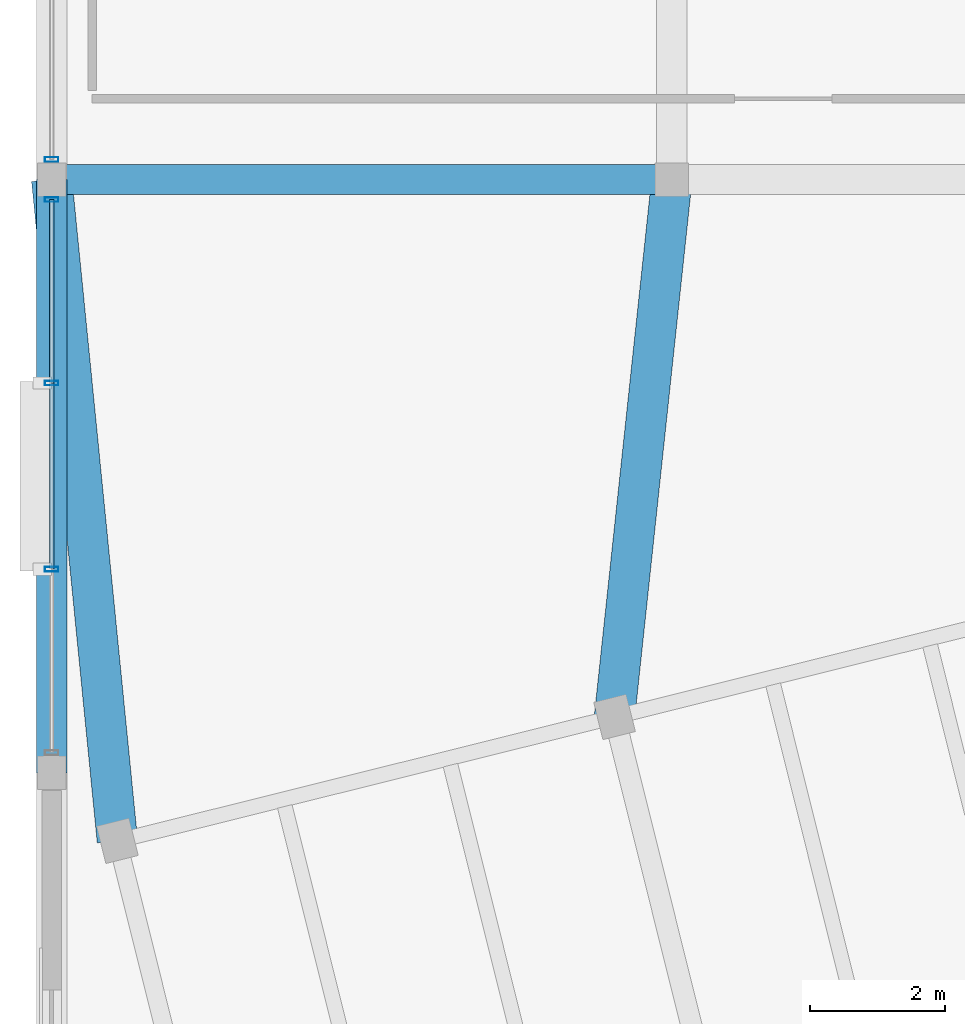
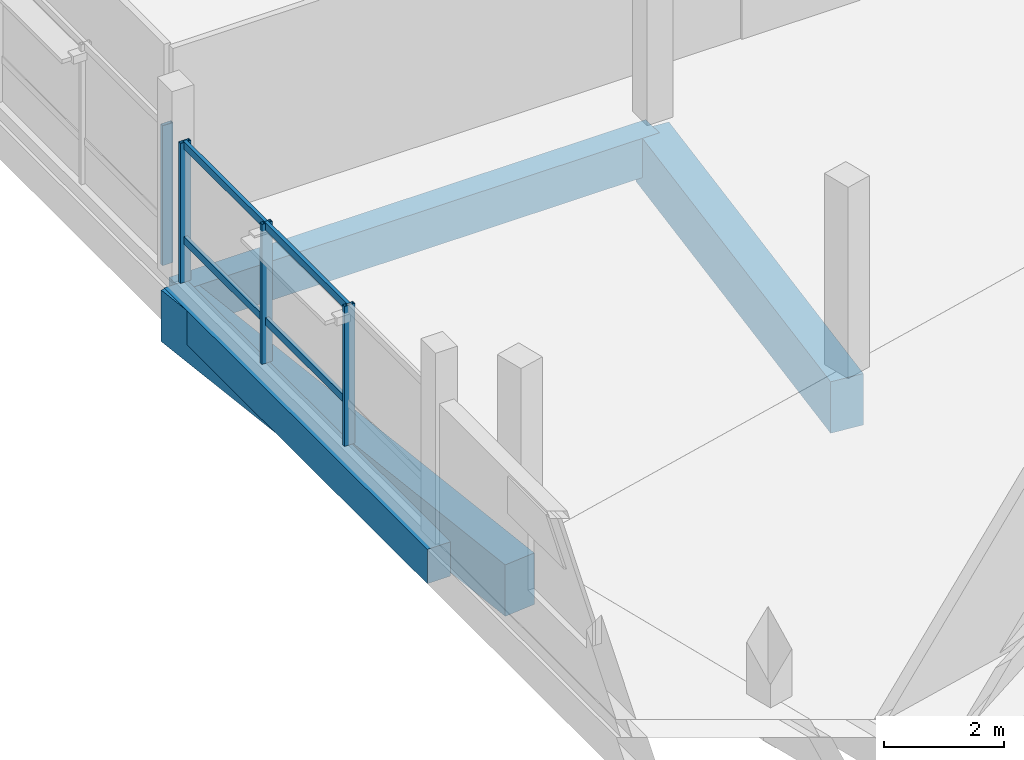
# One storey, part 33 of 62: 8 members, 4 beams, 2 elements without a shape of their own.
"""IFC4 building model written with IfcOpenShell, lengths in metres."""

import ifcopenshell
import ifcopenshell.guid

model = None  # the IFC model being written
_history = None  # IfcOwnerHistory: only IFC2X3 demands one
_inside = {}  # id of a spatial element -> (the spatial element, [elements in it])
_under = {}  # id of a project, library or spatial element -> (it, [spatial elements below it])
_declared = {}  # id of a project -> (the project, [libraries it declares])
_typed = {}  # id of a type object -> (the type object, [elements of that type])
_made_of = {}  # id of a material, layer set ... -> (it, [elements and type objects made of it])


def new_model(schema):
    """Start an empty IFC model of exactly this schema.

    Asked for "IFC4X3", IfcOpenShell would pick the latest addendum, in which some entities
    have other attributes; the version numbers below select the first issue.
    IFC2X3 requires an IfcOwnerHistory on every rooted entity: one is made here for all.
    """
    global model, _history
    if schema == "IFC4X3":
        model = ifcopenshell.file(schema_version=(4, 3, 0, 0))
    else:
        model = ifcopenshell.file(schema=schema)
    _inside.clear()
    _under.clear()
    _declared.clear()
    _typed.clear()
    _made_of.clear()
    _history = None
    if model.schema == "IFC2X3":
        org = make("IfcOrganization", Name="unknown")
        user = make(
            "IfcPersonAndOrganization",
            ThePerson=make("IfcPerson", FamilyName="unknown"),
            TheOrganization=org,
        )
        app = make(
            "IfcApplication",
            ApplicationDeveloper=org,
            Version="unknown",
            ApplicationFullName="unknown",
            ApplicationIdentifier="unknown",
        )
        _history = make(
            "IfcOwnerHistory",
            OwningUser=user,
            OwningApplication=app,
            ChangeAction="ADDED",
            CreationDate=0,
        )
    return model


def make(cls, **values):
    """One entity of the class cls with the attributes given. An attribute that is None is left unset."""
    return model.create_entity(
        cls, **{name: value for name, value in values.items() if value is not None}
    )


def rooted(cls, **values):
    """An entity with a GlobalId (a new one), such as an element, a storey or a relation."""
    return make(cls, GlobalId=ifcopenshell.guid.new(), OwnerHistory=_history, **values)


def si_unit(unit_type, name, prefix=None):
    """IfcSIUnit, for example si_unit("LENGTHUNIT", "METRE", prefix="MILLI")."""
    return make("IfcSIUnit", UnitType=unit_type, Prefix=prefix, Name=name)


def assignment(units):
    """IfcUnitAssignment: the units of a project."""
    return None if units is None else make("IfcUnitAssignment", Units=units)


def point(xyz):
    """IfcCartesianPoint."""
    return None if xyz is None else make("IfcCartesianPoint", Coordinates=xyz)


def direction(xyz):
    """IfcDirection."""
    return None if xyz is None else make("IfcDirection", DirectionRatios=xyz)


def frame(location, z_axis=None, x_axis=None):
    """IfcAxis2Placement3D, a coordinate frame: its origin and axes. An axis left out is left unset."""
    return make(
        "IfcAxis2Placement3D",
        Location=point(location),
        Axis=direction(z_axis),
        RefDirection=direction(x_axis),
    )


def frame_2d(location, x_axis=None):
    """IfcAxis2Placement2D, a coordinate frame in the plane: its origin and x axis."""
    return make(
        "IfcAxis2Placement2D", Location=point(location), RefDirection=direction(x_axis)
    )


def origin():
    """The frame at (0, 0, 0) with its axes left unset."""
    return frame((0.0, 0.0, 0.0))


def origin_2d():
    """The frame at (0, 0) in the plane with its x axis left unset."""
    return frame_2d((0.0, 0.0))


def place(relative_to, where):
    """IfcLocalPlacement: puts the frame where relative to a parent placement (None: the world)."""
    return make(
        "IfcLocalPlacement", PlacementRelTo=relative_to, RelativePlacement=where
    )


def context(
    kind, dimensions, precision=None, world=None, true_north=None, identifier=None
):
    """IfcGeometricRepresentationContext, for example the 3D "Model" context."""
    return make(
        "IfcGeometricRepresentationContext",
        ContextIdentifier=identifier,
        ContextType=kind,
        CoordinateSpaceDimension=dimensions,
        Precision=precision,
        WorldCoordinateSystem=world,
        TrueNorth=true_north,
    )


def subcontext(parent, identifier, kind, view, scale=None):
    """IfcGeometricRepresentationSubContext, for example "Body" below "Model"."""
    return make(
        "IfcGeometricRepresentationSubContext",
        ContextIdentifier=identifier,
        ContextType=kind,
        ParentContext=parent,
        TargetScale=scale,
        TargetView=view,
    )


def project(units=None, contexts=None):
    """IfcProject with its units and contexts."""
    return rooted(
        "IfcProject",
        Name="project",
        RepresentationContexts=contexts,
        UnitsInContext=assignment(units),
    )


def spatial(cls, under=None, at=None, **own):
    """A site, building, storey or space (cls), placed at a placement, below another one or the project."""
    s = rooted(cls, ObjectPlacement=at, **own)
    if under is not None:
        _under.setdefault(under.id(), (under, []))[1].append(s)
    return s


def profile(cls, at=None, kind="AREA", **sizes):
    """A parametric profile (cls). Its sizes go by their IFC names, for example OverallWidth=200.0."""
    return make(cls, ProfileType=kind, Position=at, **sizes)


def rectangle(**sizes):
    """IfcRectangleProfileDef."""
    return profile("IfcRectangleProfileDef", **sizes)


def hollow_rectangle(**sizes):
    """IfcRectangleHollowProfileDef."""
    return profile("IfcRectangleHollowProfileDef", **sizes)


def extrude(swept, where, along, depth):
    """IfcExtrudedAreaSolid: the profile swept, set in the frame where, extruded along a direction by depth."""
    return make(
        "IfcExtrudedAreaSolid",
        SweptArea=swept,
        Position=where,
        ExtrudedDirection=direction(along),
        Depth=depth,
    )


def shape(context_of_items, identifier, shape_type, items):
    """IfcShapeRepresentation: the items that make up one representation, for example the "Body"."""
    return make(
        "IfcShapeRepresentation",
        ContextOfItems=context_of_items,
        RepresentationIdentifier=identifier,
        RepresentationType=shape_type,
        Items=items,
    )


def material(Name=None, Category=None):
    """IfcMaterial."""
    return make("IfcMaterial", Name=Name, Category=Category)


def layer(
    of_material, thickness, ventilated=None, Name=None, Category=None, Priority=None
):
    """IfcMaterialLayer: one layer of a wall or slab, of a material (None: an air gap)."""
    return make(
        "IfcMaterialLayer",
        Material=of_material,
        LayerThickness=thickness,
        IsVentilated=ventilated,
        Name=Name,
        Category=Category,
        Priority=Priority,
    )


def layer_set(layers, Name=None):
    """IfcMaterialLayerSet."""
    return make("IfcMaterialLayerSet", MaterialLayers=layers, LayerSetName=Name)


def material_profile(
    of_material, cross_section, Name=None, Category=None, Priority=None
):
    """IfcMaterialProfile: a cross section and its material."""
    return make(
        "IfcMaterialProfile",
        Name=Name,
        Material=of_material,
        Profile=cross_section,
        Priority=Priority,
        Category=Category,
    )


def profile_set(profiles, Name=None, composite=None):
    """IfcMaterialProfileSet."""
    return make(
        "IfcMaterialProfileSet",
        Name=Name,
        MaterialProfiles=profiles,
        CompositeProfile=composite,
    )


def made_of(thing, what):
    """Note that an element or type object is made of a material, layer set ...; save() writes the relation."""
    if what is not None:
        _made_of.setdefault(what.id(), (what, []))[1].append(thing)
    return thing


def type_object(cls, material=None, **own):
    """A type object (cls), such as IfcWallType, which elements share."""
    return made_of(rooted(cls, **own), material)


def element(
    cls,
    number,
    at=None,
    inside=None,
    cuts=None,
    type_object=None,
    material=None,
    context=None,
    identifier="Body",
    shape_type=None,
    held_by="IfcProductDefinitionShape",
    body=None,
    shapes=None,
    **own,
):
    """One element of the class cls, such as IfcWall. Its Tag is "e" and its number.

    at: its placement. inside: the storey or other place that contains it. cuts: it is an
    opening in that element (IfcRelVoidsElement). A single representation is given by context,
    identifier, shape_type and body (its items); several are given by shapes. held_by: the class
    of the entity that holds the representations. save() writes the other relations.
    """
    e = rooted(cls, Tag="e%d" % number, ObjectPlacement=at, **own)
    if body is not None:
        shapes = [shape(context, identifier, shape_type, body)]
    if shapes is not None:
        e.Representation = make(held_by, Representations=shapes)
    if inside is not None:
        _inside.setdefault(inside.id(), (inside, []))[1].append(e)
    if cuts is not None:
        rooted(
            "IfcRelVoidsElement", RelatingBuildingElement=cuts, RelatedOpeningElement=e
        )
    if type_object is not None:
        _typed.setdefault(type_object.id(), (type_object, []))[1].append(e)
    return made_of(e, material)


def aggregate(whole, parts):
    """IfcRelAggregates: a whole, such as a stair, and the parts it consists of."""
    return rooted("IfcRelAggregates", RelatingObject=whole, RelatedObjects=parts)


def save(model, path):
    """Write the relations noted so far, then the file.

    IfcRelAggregates (storeys below a building ...), IfcRelContainedInSpatialStructure (elements
    in a storey), IfcRelDefinesByType, IfcRelAssociatesMaterial and IfcRelDeclares: one each for
    every whole, place, type object, material and project.
    """
    for whole, parts in _under.values():
        aggregate(whole, parts)
    for where, things in _inside.values():
        rooted(
            "IfcRelContainedInSpatialStructure",
            RelatedElements=things,
            RelatingStructure=where,
        )
    for kind, things in _typed.values():
        rooted("IfcRelDefinesByType", RelatedObjects=things, RelatingType=kind)
    for what, things in _made_of.values():
        rooted("IfcRelAssociatesMaterial", RelatedObjects=things, RelatingMaterial=what)
    for by, libraries in _declared.values():
        rooted("IfcRelDeclares", RelatingContext=by, RelatedDefinitions=libraries)
    model.write(path)


model = new_model("IFC4")

# Units and contexts
model_context = context("Model", 3, precision=1e-05, world=origin(), true_north=direction((0.0, 1.0)))
body_context = subcontext(model_context, "Body", "Model", "MODEL_VIEW")
ifc_project = project(units=[si_unit("LENGTHUNIT", "METRE"), si_unit("AREAUNIT", "SQUARE_METRE"), si_unit("VOLUMEUNIT", "CUBIC_METRE"), si_unit("PLANEANGLEUNIT", "RADIAN"), si_unit("MASSUNIT", "GRAM", prefix="KILO")], contexts=[model_context])

# Site, building, storey
site_placement = place(None, origin())
site = spatial("IfcSite", under=ifc_project, at=site_placement, CompositionType="ELEMENT")
building_placement = place(site_placement, origin())
building = spatial("IfcBuilding", under=site, at=building_placement, Name="Meriwether Solvik Hall", CompositionType="ELEMENT")
storey_placement = place(building_placement, frame((0.0, 0.0, 14.39990234375)))
storey = spatial("IfcBuildingStorey", under=building, at=storey_placement, Name="L03", CompositionType="ELEMENT", Elevation=14.39990234375)

# Beams
ifc_material_1 = material(Name="Concrete C40/50", Category="concrete")
ifc_material_profile_1 = material_profile(ifc_material_1, rectangle(XDim=0.449951171875, YDim=0.699951171875, at=origin_2d()), Name="RCB-450X700")
ifc_profile_set_1 = profile_set([ifc_material_profile_1], Name="Concrete C40/50")
beam_type_1 = type_object("IfcBeamType", Name="BM-RC-450X700", PredefinedType="BEAM", material=ifc_profile_set_1)
beam_1_placement = place(storey_placement, frame((59.39990234375, 75.199951171875, -0.594970703125), z_axis=(0.0, 1.0, 0.0), x_axis=(-1.0, 0.0, 0.0)))
element("IfcBeam", 1, at=beam_1_placement, inside=storey, type_object=beam_type_1, Name="Podium Girder 7:I-J (L03)", PredefinedType="BEAM", context=body_context, shape_type="SweptSolid", body=[
    extrude(rectangle(XDim=0.449951171875, YDim=0.699951171875, at=origin_2d()), origin(), (0.0, 0.0, 1.0), 8.800048828125),
])
ifc_material_2 = material(Name="Concrete C40/50", Category="concrete")
ifc_material_profile_2 = material_profile(ifc_material_2, rectangle(XDim=0.449951171875, YDim=0.800048828125, at=origin_2d()), Name="RCB-450X800")
ifc_profile_set_2 = profile_set([ifc_material_profile_2], Name="Concrete C40/50")
beam_type_2 = type_object("IfcBeamType", Name="BM-RC-450X800", PredefinedType="BEAM", material=ifc_profile_set_2)
beam_2_placement = place(storey_placement, frame((59.39990234375, 84.0, -0.64501953125), z_axis=(1.0, 0.0, 0.0), x_axis=(0.0, 1.0, 0.0)))
element("IfcBeam", 2, at=beam_2_placement, inside=storey, type_object=beam_type_2, Name="Podium Girder J:7-8 (L03)", PredefinedType="BEAM", context=body_context, shape_type="SweptSolid", body=[
    extrude(rectangle(XDim=0.449951171875, YDim=0.800048828125, at=origin_2d()), origin(), (0.0, 0.0, 1.0), 9.2001953125),
])
ifc_material_3 = material(Name="Concrete C40/50", Category="concrete")
ifc_material_profile_3 = material_profile(ifc_material_3, rectangle(XDim=0.60009765625, YDim=1.050048828125, at=origin_2d()), Name="RCB-600X1050")
ifc_profile_set_3 = profile_set([ifc_material_profile_3], Name="Concrete C40/50")
beam_type_3 = type_object("IfcBeamType", Name="BM-RC-600X1050", PredefinedType="BEAM", material=ifc_profile_set_3)
beam_3_placement = place(storey_placement, frame((60.374755859375, 74.18994140625, -0.77001953125), z_axis=(-0.098885806068, 0.995098787738, 0.0), x_axis=(-0.995098787738, -0.098885806068, 0.0)))
element("IfcBeam", 3, at=beam_3_placement, inside=storey, type_object=beam_type_3, Name="Diaphragm Collector Girder T1/TF-7/J (L03)", PredefinedType="BEAM", context=body_context, shape_type="SweptSolid", body=[
    extrude(rectangle(XDim=0.60009765625, YDim=1.050048828125, at=origin_2d()), origin(), (0.0, 0.0, 1.0), 9.8583984375),
])
beam_4_placement = place(storey_placement, frame((67.7490234375, 76.028564453125, -0.77001953125), z_axis=(0.106162139873, 0.99434883218, 0.0), x_axis=(-0.99434883218, 0.106162139873, 0.0)))
element("IfcBeam", 4, at=beam_4_placement, inside=storey, type_object=beam_type_3, Name="Diaphragm Collector Girder T2/TF-8/J (L03)", PredefinedType="BEAM", context=body_context, shape_type="SweptSolid", body=[
    extrude(rectangle(XDim=0.60009765625, YDim=1.050048828125, at=origin_2d()), origin(), (0.0, 0.0, 1.0), 8.016845703125),
])

# Curtain wall, members
ifc_material_4 = material(Name="Thermally Broken Anodised Aluminium 6063-T6 and Low-E Glass", Category="aluminium")
ifc_layer = layer(ifc_material_4, 0.179931640625)
ifc_layer_set = layer_set([ifc_layer], Name="Thermally Broken Anodised Aluminium 6063-T6 and Low-E Glass")
curtain_wall_type = type_object("IfcCurtainWallType", Name="CW-UNIT-E", PredefinedType="USERDEFINED", material=ifc_layer_set)
curtain_wall_1_placement = place(storey_placement, origin())
curtain_wall_1 = element("IfcCurtainWall", 5, at=curtain_wall_1_placement, inside=storey, type_object=curtain_wall_type, Name="Curtain Wall wing_Y7_9_32 (L03)", ObjectType="UNITISED CURTAIN WALL", PredefinedType="USERDEFINED")
ifc_material_5 = material(Name="Anodised Aluminium 6063-T6", Category="aluminium")
ifc_material_profile_4 = material_profile(ifc_material_5, hollow_rectangle(XDim=0.070068359375, YDim=0.199951171875, WallThickness=0.0048828125, at=origin_2d()), Name="CWM-70X200")
ifc_profile_set_4 = profile_set([ifc_material_profile_4], Name="Anodised Aluminium 6063-T6")
member_type_1 = type_object("IfcMemberType", Name="CW-MUL-70X200", PredefinedType="MULLION", material=ifc_profile_set_4)
member_1_placement = place(storey_placement, frame((59.39990234375, 78.2197265625, 0.0), z_axis=(0.0, 0.0, 1.0), x_axis=(0.0, 1.0, 0.0)))
member_1 = element("IfcMember", 6, at=member_1_placement, type_object=member_type_1, Name="Curtain Wall Mullion 2", PredefinedType="MULLION", context=body_context, shape_type="SweptSolid", body=[
    extrude(hollow_rectangle(XDim=0.070068359375, YDim=0.199951171875, WallThickness=0.0048828125, at=origin_2d()), origin(), (0.0, 0.0, 1.0), 2.85498046875),
])
member_2_placement = place(storey_placement, frame((59.39990234375, 80.980224609375, 0.0), z_axis=(0.0, 0.0, 1.0), x_axis=(0.0, 1.0, 0.0)))
member_2 = element("IfcMember", 7, at=member_2_placement, type_object=member_type_1, Name="Curtain Wall Mullion 3", PredefinedType="MULLION", context=body_context, shape_type="SweptSolid", body=[
    extrude(hollow_rectangle(XDim=0.070068359375, YDim=0.199951171875, WallThickness=0.0048828125, at=origin_2d()), origin(), (0.0, 0.0, 1.0), 2.85498046875),
])
member_3_placement = place(storey_placement, frame((59.39990234375, 83.702392578125, 0.0), z_axis=(0.0, 0.0, 1.0), x_axis=(0.0, 1.0, 0.0)))
member_3 = element("IfcMember", 8, at=member_3_placement, type_object=member_type_1, Name="Curtain Wall Mullion 4", PredefinedType="MULLION", context=body_context, shape_type="SweptSolid", body=[
    extrude(hollow_rectangle(XDim=0.070068359375, YDim=0.199951171875, WallThickness=0.0048828125, at=origin_2d()), origin(), (0.0, 0.0, 1.0), 2.85498046875),
])

# Curtain wall, member
curtain_wall_2_placement = place(storey_placement, origin())
curtain_wall_2 = element("IfcCurtainWall", 9, at=curtain_wall_2_placement, inside=storey, type_object=curtain_wall_type, Name="Curtain Wall wing_Y7_10_33 (L03)", ObjectType="UNITISED CURTAIN WALL", PredefinedType="USERDEFINED")
member_4_placement = place(storey_placement, frame((59.39990234375, 84.297607421875, 0.0), z_axis=(0.0, 0.0, 1.0), x_axis=(0.0, 1.0, 0.0)))
member_4 = element("IfcMember", 10, at=member_4_placement, type_object=member_type_1, Name="Curtain Wall Mullion 1", PredefinedType="MULLION", context=body_context, shape_type="SweptSolid", body=[
    extrude(hollow_rectangle(XDim=0.070068359375, YDim=0.199951171875, WallThickness=0.0048828125, at=origin_2d()), origin(), (0.0, 0.0, 1.0), 2.85498046875),
])
aggregate(curtain_wall_2, [member_4])

# Member
ifc_material_6 = material(Name="Anodised Aluminium 6063-T6", Category="aluminium")
ifc_material_profile_5 = material_profile(ifc_material_6, hollow_rectangle(XDim=0.070068359375, YDim=0.14990234375, WallThickness=0.0048828125, at=origin_2d()), Name="CWT-70X150")
ifc_profile_set_5 = profile_set([ifc_material_profile_5], Name="Anodised Aluminium 6063-T6")
member_type_2 = type_object("IfcMemberType", Name="CW-TRN-70X150", PredefinedType="USERDEFINED", material=ifc_profile_set_5)
member_5_placement = place(storey_placement, frame((59.39990234375, 78.2197265625, 0.856689453125), z_axis=(0.0, 1.0, 0.0), x_axis=(-1.0, 0.0, 0.0)))
member_5 = element("IfcMember", 11, at=member_5_placement, type_object=member_type_2, Name="Curtain Wall Transom 2-sill", ObjectType="TRANSOM", PredefinedType="USERDEFINED", context=body_context, shape_type="SweptSolid", body=[
    extrude(hollow_rectangle(XDim=0.070068359375, YDim=0.14990234375, WallThickness=0.0048828125, at=origin_2d()), origin(), (0.0, 0.0, 1.0), 2.760498046875),
])

member_6_placement = place(storey_placement, frame((59.39990234375, 78.2197265625, 2.795166015625), z_axis=(0.0, 1.0, 0.0), x_axis=(-1.0, 0.0, 0.0)))
member_6 = element("IfcMember", 12, at=member_6_placement, type_object=member_type_2, Name="Curtain Wall Transom 2-head", ObjectType="TRANSOM", PredefinedType="USERDEFINED", context=body_context, shape_type="SweptSolid", body=[
    extrude(hollow_rectangle(XDim=0.070068359375, YDim=0.14990234375, WallThickness=0.0048828125, at=origin_2d()), origin(), (0.0, 0.0, 1.0), 2.760498046875),
])

member_7_placement = place(storey_placement, frame((59.39990234375, 80.980224609375, 0.856689453125), z_axis=(0.0, 1.0, 0.0), x_axis=(-1.0, 0.0, 0.0)))
member_7 = element("IfcMember", 13, at=member_7_placement, type_object=member_type_2, Name="Curtain Wall Transom 3-sill", ObjectType="TRANSOM", PredefinedType="USERDEFINED", context=body_context, shape_type="SweptSolid", body=[
    extrude(hollow_rectangle(XDim=0.070068359375, YDim=0.14990234375, WallThickness=0.0048828125, at=origin_2d()), origin(), (0.0, 0.0, 1.0), 2.72216796875),
])

member_8_placement = place(storey_placement, frame((59.39990234375, 80.980224609375, 2.795166015625), z_axis=(0.0, 1.0, 0.0), x_axis=(-1.0, 0.0, 0.0)))
member_8 = element("IfcMember", 14, at=member_8_placement, type_object=member_type_2, Name="Curtain Wall Transom 3-head", ObjectType="TRANSOM", PredefinedType="USERDEFINED", context=body_context, shape_type="SweptSolid", body=[
    extrude(hollow_rectangle(XDim=0.070068359375, YDim=0.14990234375, WallThickness=0.0048828125, at=origin_2d()), origin(), (0.0, 0.0, 1.0), 2.72216796875),
])

aggregate(curtain_wall_1, [member_1, member_2, member_3, member_5, member_6, member_7, member_8])

save(model, "model.ifc")
